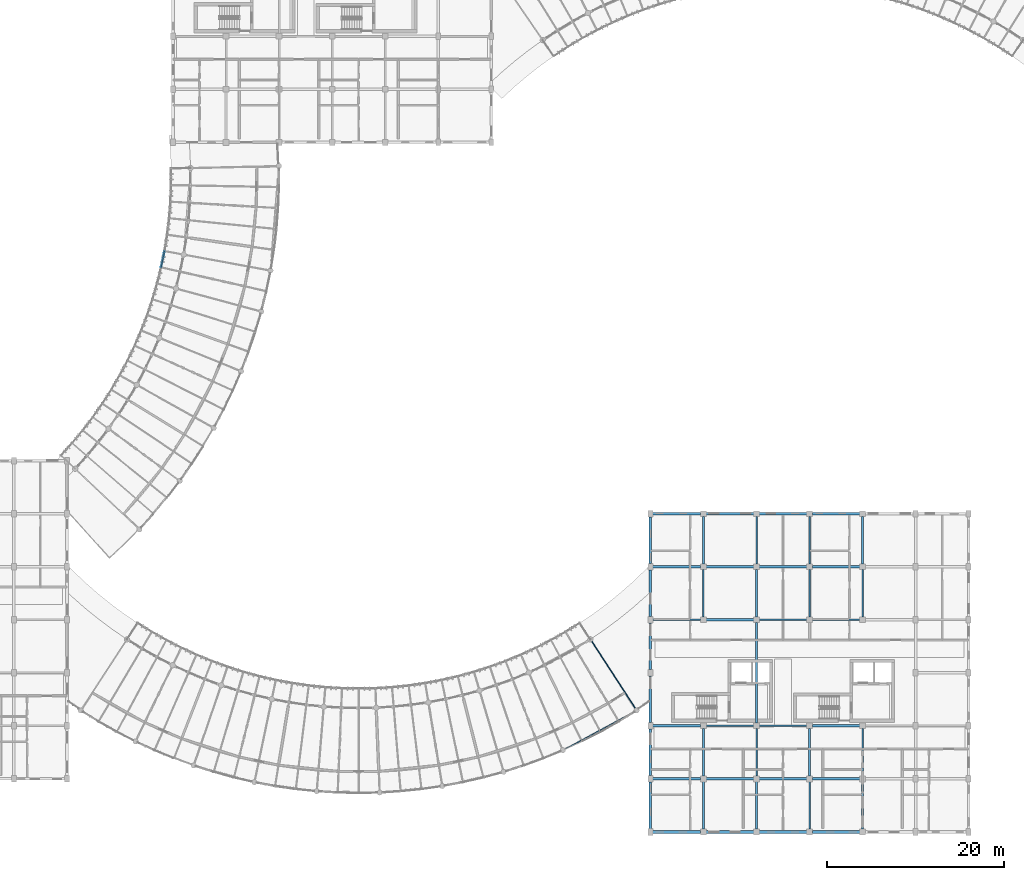
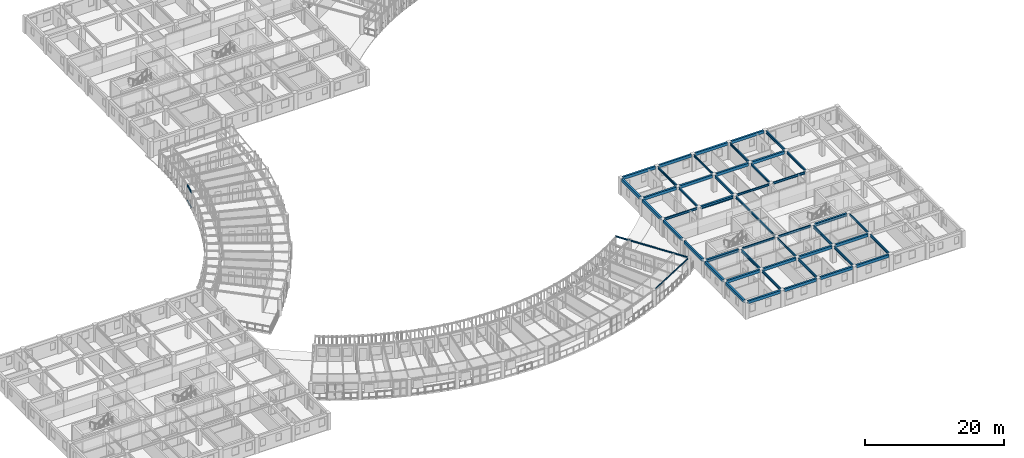
# One storey, part 22 of 100: 50 beams, 2 members.
"""IFC4 building model written with IfcOpenShell, lengths in metres."""

from ifc_helpers import new_model, si_unit, direction, frame, origin, origin_2d, place, context, subcontext, project, spatial, rectangle, hollow_rectangle, i_section, extrude, material, material_profile, profile_set, type_object, element, save


model = new_model("IFC4")

# Units and contexts
model_context = context("Model", 3, precision=1e-05, world=origin(), true_north=direction((0.0, 1.0)))
body_context = subcontext(model_context, "Body", "Model", "MODEL_VIEW")
ifc_project = project(units=[si_unit("LENGTHUNIT", "METRE"), si_unit("AREAUNIT", "SQUARE_METRE"), si_unit("VOLUMEUNIT", "CUBIC_METRE"), si_unit("PLANEANGLEUNIT", "RADIAN"), si_unit("MASSUNIT", "GRAM", prefix="KILO"), si_unit("POWERUNIT", "WATT"), si_unit("THERMODYNAMICTEMPERATUREUNIT", "KELVIN")], contexts=[model_context])

# Site, building, storey
site_placement = place(None, origin())
site = spatial("IfcSite", under=ifc_project, at=site_placement, CompositionType="ELEMENT")
building_placement = place(site_placement, origin())
building = spatial("IfcBuilding", under=site, at=building_placement, Name="Ruvembo Vaulted Housing Court", CompositionType="ELEMENT")
storey_placement = place(building_placement, frame((0.0, 0.0, 14.10009765625)))
storey = spatial("IfcBuildingStorey", under=building, at=storey_placement, Name="L04", CompositionType="ELEMENT", Elevation=14.10009765625)

# Beams
ifc_material_1 = material(Name="Steel S355J2", Category="steel")
ifc_material_profile_1 = material_profile(ifc_material_1, i_section(OverallWidth=0.300048828125, OverallDepth=0.5, WebThickness=0.014404296875, FlangeThickness=0.028076171875, FilletRadius=0.027099609375, at=origin_2d()), Name="HEB 320")
ifc_profile_set_1 = profile_set([ifc_material_profile_1], Name="Steel S355J2")
beam_type_1 = type_object("IfcBeamType", Name="BM-ST-HEB320", PredefinedType="BEAM", material=ifc_profile_set_1)
beam_1_placement = place(storey_placement, frame((102.260009765625, 12.0, 2.67578125), z_axis=(1.0, 0.0, 0.0), x_axis=(0.0, 1.0, 0.0)))
element("IfcBeam", 1, at=beam_1_placement, inside=storey, type_object=beam_type_1, Name="L04 Grid Beam X #2021", PredefinedType="BEAM", context=body_context, shape_type="SweptSolid", body=[
    extrude(i_section(OverallWidth=0.300048828125, OverallDepth=0.5, WebThickness=0.014404296875, FlangeThickness=0.028076171875, FilletRadius=0.027099609375, at=origin_2d()), origin(), (0.0, 0.0, 1.0), 5.429931640625),
])
for number, where, z_axis, x_axis, name in (
    (2, (120.31005859375, 12.0, 2.67578125), (1.0, 0.0, 0.0), (0.0, 1.0, 0.0), "L04 Grid Beam X #2024"),
    (3, (108.31005859375, 24.0, 2.67578125), (1.0, 0.0, 0.0), (0.0, 1.0, 0.0), "L04 Grid Beam X #2036"),
):
    element("IfcBeam", number, at=place(storey_placement, frame(where, z_axis=z_axis, x_axis=x_axis)), inside=storey, type_object=beam_type_1, Name=name, PredefinedType="BEAM", context=body_context, shape_type="SweptSolid", body=[
        extrude(i_section(OverallWidth=0.300048828125, OverallDepth=0.5, WebThickness=0.014404296875, FlangeThickness=0.028076171875, FilletRadius=0.027099609375, at=origin_2d()), origin(), (0.0, 0.0, 1.0), 5.3798828125),
    ])
ifc_material_profile_2 = material_profile(ifc_material_1, i_section(OverallWidth=0.091064453125, OverallDepth=0.179931640625, WebThickness=0.00537109375, FlangeThickness=0.008056640625, FilletRadius=0.009033203125, at=origin_2d()), Name="IPE 180")
ifc_profile_set_2 = profile_set([ifc_material_profile_2], Name="Steel S355J2")
beam_type_2 = type_object("IfcBeamType", Name="BM-ST-IPE180", PredefinedType="JOIST", material=ifc_profile_set_2)
beam_2_placement = place(storey_placement, frame((100.343994140625, 13.901611328125, 2.849853515625), z_axis=(-0.545955148069, 0.837814404446, 0.0), x_axis=(-0.837814404446, -0.545955148069, 0.0)))
element("IfcBeam", 4, at=beam_2_placement, inside=storey, type_object=beam_type_2, Name="Scoop SC2 L04 Radial Steel Joist 28", PredefinedType="JOIST", context=body_context, shape_type="SweptSolid", body=[
    extrude(i_section(OverallWidth=0.091064453125, OverallDepth=0.179931640625, WebThickness=0.00537109375, FlangeThickness=0.008056640625, FilletRadius=0.009033203125, at=origin_2d()), origin(), (0.0, 0.0, 1.0), 11.64990234375),
])
ifc_material_profile_3 = material_profile(ifc_material_1, i_section(OverallWidth=0.110107421875, OverallDepth=0.219970703125, WebThickness=0.005859375, FlangeThickness=0.00927734375, FilletRadius=0.011962890625, at=origin_2d()), Name="IPE 220")
ifc_profile_set_3 = profile_set([ifc_material_profile_3], Name="Steel S355J2")
beam_type_3 = type_object("IfcBeamType", Name="BM-ST-IPE220", PredefinedType="SPANDREL", material=ifc_profile_set_3)
beam_3_placement = place(storey_placement, frame((92.2607421875, 9.322509765625, 2.831787109375), z_axis=(0.879955343206, 0.475056411349, 0.0), x_axis=(-0.475056411349, 0.879955343206, 0.0)))
element("IfcBeam", 5, at=beam_3_placement, inside=storey, type_object=beam_type_3, Name="Scoop SC2 L04 Chord Girder B24", PredefinedType="SPANDREL", context=body_context, shape_type="SweptSolid", body=[
    extrude(i_section(OverallWidth=0.110107421875, OverallDepth=0.219970703125, WebThickness=0.005859375, FlangeThickness=0.00927734375, FilletRadius=0.011962890625, at=origin_2d()), origin(), (0.0, 0.0, 1.0), 9.11376953125),
])
ifc_material_profile_4 = material_profile(ifc_material_1, i_section(OverallWidth=0.169921875, OverallDepth=0.360107421875, WebThickness=0.008056640625, FlangeThickness=0.0126953125, FilletRadius=0.01806640625, at=origin_2d()), Name="IPE 360")
ifc_profile_set_4 = profile_set([ifc_material_profile_4], Name="Steel S355J2")
beam_type_4 = type_object("IfcBeamType", Name="BM-ST-IPE360", PredefinedType="BEAM", material=ifc_profile_set_4)
for number, where, z_axis, x_axis, name in (
    (6, (108.31005859375, 12.0, 2.745849609375), (1.0, 0.0, 0.0), (0.0, 1.0, 0.0), "L04 Grid Beam X #2022"),
    (7, (114.31005859375, 24.0, 2.745849609375), (1.0, 0.0, 0.0), (0.0, 1.0, 0.0), "L04 Grid Beam X #2037"),
    (8, (108.0, 24.31005859375, 2.745849609375), (0.0, 1.0, 0.0), (-1.0, 0.0, 0.0), "L04 Grid Beam Y #2223"),
    (9, (114.0, 6.31005859375, 2.745849609375), (0.0, 1.0, 0.0), (-1.0, 0.0, 0.0), "L04 Grid Beam Y #2226"),
    (10, (114.0, 30.31005859375, 2.745849609375), (0.0, 1.0, 0.0), (-1.0, 0.0, 0.0), "L04 Grid Beam Y #2229"),
    (11, (120.0, 24.31005859375, 2.745849609375), (0.0, 1.0, 0.0), (-1.0, 0.0, 0.0), "L04 Grid Beam Y #2232"),
    (12, (126.0, 6.31005859375, 2.745849609375), (0.0, 1.0, 0.0), (-1.0, 0.0, 0.0), "L04 Grid Beam Y #2235"),
):
    element("IfcBeam", number, at=place(storey_placement, frame(where, z_axis=z_axis, x_axis=x_axis)), inside=storey, type_object=beam_type_4, Name=name, PredefinedType="BEAM", context=body_context, shape_type="SweptSolid", body=[
        extrude(i_section(OverallWidth=0.169921875, OverallDepth=0.360107421875, WebThickness=0.008056640625, FlangeThickness=0.0126953125, FilletRadius=0.01806640625, at=origin_2d()), origin(), (0.0, 0.0, 1.0), 5.3798828125),
    ])
ifc_material_profile_5 = material_profile(ifc_material_1, i_section(OverallWidth=0.179931640625, OverallDepth=0.39990234375, WebThickness=0.008544921875, FlangeThickness=0.013427734375, FilletRadius=0.02099609375, at=origin_2d()), Name="IPE 400")
ifc_profile_set_5 = profile_set([ifc_material_profile_5], Name="Steel S355J2")
beam_type_5 = type_object("IfcBeamType", Name="BM-ST-IPE400", PredefinedType="BEAM", material=ifc_profile_set_5)
beam_4_placement = place(storey_placement, frame((114.31005859375, 12.0, 2.725830078125), z_axis=(1.0, 0.0, 0.0), x_axis=(0.0, 1.0, 0.0)))
element("IfcBeam", 13, at=beam_4_placement, inside=storey, type_object=beam_type_5, Name="L04 Grid Beam X #2023", PredefinedType="BEAM", context=body_context, shape_type="SweptSolid", body=[
    extrude(i_section(OverallWidth=0.179931640625, OverallDepth=0.39990234375, WebThickness=0.008544921875, FlangeThickness=0.013427734375, FilletRadius=0.02099609375, at=origin_2d()), origin(), (0.0, 0.0, 1.0), 5.3798828125),
])
beam_5_placement = place(storey_placement, frame((102.260009765625, 24.0, 2.725830078125), z_axis=(1.0, 0.0, 0.0), x_axis=(0.0, 1.0, 0.0)))
element("IfcBeam", 14, at=beam_5_placement, inside=storey, type_object=beam_type_5, Name="L04 Grid Beam X #2035", PredefinedType="BEAM", context=body_context, shape_type="SweptSolid", body=[
    extrude(i_section(OverallWidth=0.179931640625, OverallDepth=0.39990234375, WebThickness=0.008544921875, FlangeThickness=0.013427734375, FilletRadius=0.02099609375, at=origin_2d()), origin(), (0.0, 0.0, 1.0), 5.429931640625),
])
for number, where, z_axis, x_axis, name in (
    (15, (120.31005859375, 24.0, 2.725830078125), (1.0, 0.0, 0.0), (0.0, 1.0, 0.0), "L04 Grid Beam X #2038"),
    (16, (108.0, 0.31005859375, 2.725830078125), (0.0, 1.0, 0.0), (-1.0, 0.0, 0.0), "L04 Grid Beam Y #2221"),
    (17, (108.0, 30.31005859375, 2.725830078125), (0.0, 1.0, 0.0), (-1.0, 0.0, 0.0), "L04 Grid Beam Y #2224"),
):
    element("IfcBeam", number, at=place(storey_placement, frame(where, z_axis=z_axis, x_axis=x_axis)), inside=storey, type_object=beam_type_5, Name=name, PredefinedType="BEAM", context=body_context, shape_type="SweptSolid", body=[
        extrude(i_section(OverallWidth=0.179931640625, OverallDepth=0.39990234375, WebThickness=0.008544921875, FlangeThickness=0.013427734375, FilletRadius=0.02099609375, at=origin_2d()), origin(), (0.0, 0.0, 1.0), 5.3798828125),
    ])
beam_6_placement = place(storey_placement, frame((114.0, 12.31005859375, 2.725830078125), z_axis=(0.0, 1.0, 0.0), x_axis=(-1.0, 0.0, 0.0)))
element("IfcBeam", 18, at=beam_6_placement, inside=storey, type_object=beam_type_5, Name="L04 Grid Beam Y #2227", PredefinedType="BEAM", context=body_context, shape_type="SweptSolid", body=[
    extrude(i_section(OverallWidth=0.179931640625, OverallDepth=0.39990234375, WebThickness=0.008544921875, FlangeThickness=0.013427734375, FilletRadius=0.02099609375, at=origin_2d()), origin(), (0.0, 0.0, 1.0), 11.3798828125),
])
for number, where, z_axis, x_axis, name in (
    (19, (120.0, 0.31005859375, 2.725830078125), (0.0, 1.0, 0.0), (-1.0, 0.0, 0.0), "L04 Grid Beam Y #2230"),
    (20, (120.0, 30.31005859375, 2.725830078125), (0.0, 1.0, 0.0), (-1.0, 0.0, 0.0), "L04 Grid Beam Y #2233"),
    (21, (126.0, 24.31005859375, 2.725830078125), (0.0, 1.0, 0.0), (-1.0, 0.0, 0.0), "L04 Grid Beam Y #2236"),
):
    element("IfcBeam", number, at=place(storey_placement, frame(where, z_axis=z_axis, x_axis=x_axis)), inside=storey, type_object=beam_type_5, Name=name, PredefinedType="BEAM", context=body_context, shape_type="SweptSolid", body=[
        extrude(i_section(OverallWidth=0.179931640625, OverallDepth=0.39990234375, WebThickness=0.008544921875, FlangeThickness=0.013427734375, FilletRadius=0.02099609375, at=origin_2d()), origin(), (0.0, 0.0, 1.0), 5.3798828125),
    ])
ifc_material_profile_6 = material_profile(ifc_material_1, i_section(OverallWidth=0.18994140625, OverallDepth=0.449951171875, WebThickness=0.009521484375, FlangeThickness=0.0146484375, FilletRadius=0.02099609375, at=origin_2d()), Name="IPE 450")
ifc_profile_set_6 = profile_set([ifc_material_profile_6], Name="Steel S355J2")
beam_type_6 = type_object("IfcBeamType", Name="BM-ST-IPE450", PredefinedType="BEAM", material=ifc_profile_set_6)
for number, where, z_axis, x_axis, name in (
    (22, (108.0, 6.31005859375, 2.700927734375), (0.0, 1.0, 0.0), (-1.0, 0.0, 0.0), "L04 Grid Beam Y #2222"),
    (23, (114.0, 0.31005859375, 2.700927734375), (0.0, 1.0, 0.0), (-1.0, 0.0, 0.0), "L04 Grid Beam Y #2225"),
    (24, (114.0, 24.31005859375, 2.700927734375), (0.0, 1.0, 0.0), (-1.0, 0.0, 0.0), "L04 Grid Beam Y #2228"),
    (25, (120.0, 6.31005859375, 2.700927734375), (0.0, 1.0, 0.0), (-1.0, 0.0, 0.0), "L04 Grid Beam Y #2231"),
    (26, (126.0, 0.31005859375, 2.700927734375), (0.0, 1.0, 0.0), (-1.0, 0.0, 0.0), "L04 Grid Beam Y #2234"),
    (27, (126.0, 30.31005859375, 2.700927734375), (0.0, 1.0, 0.0), (-1.0, 0.0, 0.0), "L04 Grid Beam Y #2237"),
):
    element("IfcBeam", number, at=place(storey_placement, frame(where, z_axis=z_axis, x_axis=x_axis)), inside=storey, type_object=beam_type_6, Name=name, PredefinedType="BEAM", context=body_context, shape_type="SweptSolid", body=[
        extrude(i_section(OverallWidth=0.18994140625, OverallDepth=0.449951171875, WebThickness=0.009521484375, FlangeThickness=0.0146484375, FilletRadius=0.02099609375, at=origin_2d()), origin(), (0.0, 0.0, 1.0), 5.3798828125),
    ])
ifc_material_profile_7 = material_profile(ifc_material_1, hollow_rectangle(XDim=0.14990234375, YDim=0.25, WallThickness=0.010009765625, InnerFilletRadius=0.010009765625, OuterFilletRadius=0.02001953125, at=origin_2d()), Name="RHS 250x150x10")
ifc_profile_set_7 = profile_set([ifc_material_profile_7], Name="Steel S355J2")
beam_type_7 = type_object("IfcBeamType", Name="BM-ST-RHS250", PredefinedType="SPANDREL", material=ifc_profile_set_7)
beam_7_placement = place(storey_placement, frame((46.664794921875, 63.86669921875, 2.81494140625), z_axis=(0.20126745828, 0.979536324103, 0.0), x_axis=(-0.979536324103, 0.20126745828, 0.0)))
element("IfcBeam", 28, at=beam_7_placement, inside=storey, type_object=beam_type_7, Name="Scoop SC1 L04 Balcony Edge Spandrel 13", PredefinedType="SPANDREL", context=body_context, shape_type="SweptSolid", body=[
    extrude(hollow_rectangle(XDim=0.14990234375, YDim=0.25, WallThickness=0.010009765625, InnerFilletRadius=0.010009765625, OuterFilletRadius=0.02001953125, at=origin_2d()), origin(), (0.0, 0.0, 1.0), 1.87646484375),
])

# Members
ifc_material_profile_8 = material_profile(ifc_material_1, hollow_rectangle(XDim=0.06005859375, YDim=0.1201171875, WallThickness=0.0048828125, InnerFilletRadius=0.0048828125, OuterFilletRadius=0.010009765625, at=origin_2d()), Name="RHS 120x60x5")
ifc_profile_set_8 = profile_set([ifc_material_profile_8], Name="Steel S355J2")
member_type_1 = type_object("IfcMemberType", Name="MEM-CAR-RHS120", PredefinedType="CHORD", material=ifc_profile_set_8)
member_1_placement = place(storey_placement, frame((46.664794921875, 63.86669921875, 2.6328125), z_axis=(0.20126745828, 0.979536324103, 0.0), x_axis=(-0.979536324103, 0.20126745828, 0.0)))
element("IfcMember", 29, at=member_1_placement, inside=storey, type_object=member_type_1, Name="Scoop SC1 L04 Upper Louvre Carrier Rail 13", PredefinedType="CHORD", context=body_context, shape_type="SweptSolid", body=[
    extrude(hollow_rectangle(XDim=0.06005859375, YDim=0.1201171875, WallThickness=0.0048828125, InnerFilletRadius=0.0048828125, OuterFilletRadius=0.010009765625, at=origin_2d()), origin(), (0.0, 0.0, 1.0), 1.87646484375),
])
ifc_material_profile_9 = material_profile(ifc_material_1, hollow_rectangle(XDim=0.080078125, YDim=0.14990234375, WallThickness=0.00634765625, InnerFilletRadius=0.00634765625, OuterFilletRadius=0.0126953125, at=origin_2d()), Name="RHS 150x80x6.3")
ifc_profile_set_9 = profile_set([ifc_material_profile_9], Name="Steel S355J2")
member_type_2 = type_object("IfcMemberType", Name="MEM-CAR-RHS150", PredefinedType="CHORD", material=ifc_profile_set_9)
member_2_placement = place(storey_placement, frame((46.664794921875, 63.86669921875, 0.094970703125), z_axis=(0.20126745828, 0.979536324103, 0.0), x_axis=(-0.979536324103, 0.20126745828, 0.0)))
element("IfcMember", 30, at=member_2_placement, inside=storey, type_object=member_type_2, Name="Scoop SC1 L04 Lower Louvre Carrier Rail 13", PredefinedType="CHORD", context=body_context, shape_type="SweptSolid", body=[
    extrude(hollow_rectangle(XDim=0.080078125, YDim=0.14990234375, WallThickness=0.00634765625, InnerFilletRadius=0.00634765625, OuterFilletRadius=0.0126953125, at=origin_2d()), origin(), (0.0, 0.0, 1.0), 1.87646484375),
])

# Beams
ifc_material_2 = material(Name="Concrete C35/45", Category="concrete")
ifc_material_profile_10 = material_profile(ifc_material_2, rectangle(XDim=0.300048828125, YDim=0.5, at=origin_2d()), Name="RC 300x500")
ifc_profile_set_10 = profile_set([ifc_material_profile_10], Name="Concrete C35/45")
beam_type_8 = type_object("IfcBeamType", Name="SP-RC-300x500", PredefinedType="SPANDREL", material=ifc_profile_set_10)
beam_8_placement = place(storey_placement, frame((102.260009765625, 0.0, 2.699951171875), z_axis=(1.0, 0.0, 0.0), x_axis=(0.0, 1.0, 0.0)))
element("IfcBeam", 31, at=beam_8_placement, inside=storey, type_object=beam_type_8, Name="L04 Grid Beam X #1997", PredefinedType="SPANDREL", context=body_context, shape_type="SweptSolid", body=[
    extrude(rectangle(XDim=0.300048828125, YDim=0.5, at=origin_2d()), origin(), (0.0, 0.0, 1.0), 5.429931640625),
])
for number, where, z_axis, x_axis, name in (
    (32, (108.31005859375, 0.0, 2.699951171875), (1.0, 0.0, 0.0), (0.0, 1.0, 0.0), "L04 Grid Beam X #1998"),
    (33, (114.31005859375, 0.0, 2.699951171875), (1.0, 0.0, 0.0), (0.0, 1.0, 0.0), "L04 Grid Beam X #1999"),
    (34, (120.31005859375, 0.0, 2.699951171875), (1.0, 0.0, 0.0), (0.0, 1.0, 0.0), "L04 Grid Beam X #2000"),
):
    element("IfcBeam", number, at=place(storey_placement, frame(where, z_axis=z_axis, x_axis=x_axis)), inside=storey, type_object=beam_type_8, Name=name, PredefinedType="SPANDREL", context=body_context, shape_type="SweptSolid", body=[
        extrude(rectangle(XDim=0.300048828125, YDim=0.5, at=origin_2d()), origin(), (0.0, 0.0, 1.0), 5.3798828125),
    ])
beam_9_placement = place(storey_placement, frame((102.260009765625, 6.0, 2.699951171875), z_axis=(1.0, 0.0, 0.0), x_axis=(0.0, 1.0, 0.0)))
element("IfcBeam", 35, at=beam_9_placement, inside=storey, type_object=beam_type_8, Name="L04 Grid Beam X #2009", PredefinedType="SPANDREL", context=body_context, shape_type="SweptSolid", body=[
    extrude(rectangle(XDim=0.300048828125, YDim=0.5, at=origin_2d()), origin(), (0.0, 0.0, 1.0), 5.429931640625),
])
for number, where, z_axis, x_axis, name in (
    (36, (108.31005859375, 6.0, 2.699951171875), (1.0, 0.0, 0.0), (0.0, 1.0, 0.0), "L04 Grid Beam X #2010"),
    (37, (114.31005859375, 6.0, 2.699951171875), (1.0, 0.0, 0.0), (0.0, 1.0, 0.0), "L04 Grid Beam X #2011"),
    (38, (120.31005859375, 6.0, 2.699951171875), (1.0, 0.0, 0.0), (0.0, 1.0, 0.0), "L04 Grid Beam X #2012"),
):
    element("IfcBeam", number, at=place(storey_placement, frame(where, z_axis=z_axis, x_axis=x_axis)), inside=storey, type_object=beam_type_8, Name=name, PredefinedType="SPANDREL", context=body_context, shape_type="SweptSolid", body=[
        extrude(rectangle(XDim=0.300048828125, YDim=0.5, at=origin_2d()), origin(), (0.0, 0.0, 1.0), 5.3798828125),
    ])
beam_10_placement = place(storey_placement, frame((102.260009765625, 30.0, 2.699951171875), z_axis=(1.0, 0.0, 0.0), x_axis=(0.0, 1.0, 0.0)))
element("IfcBeam", 39, at=beam_10_placement, inside=storey, type_object=beam_type_8, Name="L04 Grid Beam X #2047", PredefinedType="SPANDREL", context=body_context, shape_type="SweptSolid", body=[
    extrude(rectangle(XDim=0.300048828125, YDim=0.5, at=origin_2d()), origin(), (0.0, 0.0, 1.0), 5.429931640625),
])
for number, where, z_axis, x_axis, name in (
    (40, (108.31005859375, 30.0, 2.699951171875), (1.0, 0.0, 0.0), (0.0, 1.0, 0.0), "L04 Grid Beam X #2048"),
    (41, (114.31005859375, 30.0, 2.699951171875), (1.0, 0.0, 0.0), (0.0, 1.0, 0.0), "L04 Grid Beam X #2049"),
    (42, (120.31005859375, 30.0, 2.699951171875), (1.0, 0.0, 0.0), (0.0, 1.0, 0.0), "L04 Grid Beam X #2050"),
):
    element("IfcBeam", number, at=place(storey_placement, frame(where, z_axis=z_axis, x_axis=x_axis)), inside=storey, type_object=beam_type_8, Name=name, PredefinedType="SPANDREL", context=body_context, shape_type="SweptSolid", body=[
        extrude(rectangle(XDim=0.300048828125, YDim=0.5, at=origin_2d()), origin(), (0.0, 0.0, 1.0), 5.3798828125),
    ])
beam_11_placement = place(storey_placement, frame((102.260009765625, 36.0, 2.699951171875), z_axis=(1.0, 0.0, 0.0), x_axis=(0.0, 1.0, 0.0)))
element("IfcBeam", 43, at=beam_11_placement, inside=storey, type_object=beam_type_8, Name="L04 Grid Beam X #2059", PredefinedType="SPANDREL", context=body_context, shape_type="SweptSolid", body=[
    extrude(rectangle(XDim=0.300048828125, YDim=0.5, at=origin_2d()), origin(), (0.0, 0.0, 1.0), 5.429931640625),
])
for number, where, z_axis, x_axis, name in (
    (44, (108.31005859375, 36.0, 2.699951171875), (1.0, 0.0, 0.0), (0.0, 1.0, 0.0), "L04 Grid Beam X #2060"),
    (45, (114.31005859375, 36.0, 2.699951171875), (1.0, 0.0, 0.0), (0.0, 1.0, 0.0), "L04 Grid Beam X #2061"),
    (46, (120.31005859375, 36.0, 2.699951171875), (1.0, 0.0, 0.0), (0.0, 1.0, 0.0), "L04 Grid Beam X #2062"),
):
    element("IfcBeam", number, at=place(storey_placement, frame(where, z_axis=z_axis, x_axis=x_axis)), inside=storey, type_object=beam_type_8, Name=name, PredefinedType="SPANDREL", context=body_context, shape_type="SweptSolid", body=[
        extrude(rectangle(XDim=0.300048828125, YDim=0.5, at=origin_2d()), origin(), (0.0, 0.0, 1.0), 5.3798828125),
    ])
for number, where, z_axis, x_axis, name in (
    (47, (102.0, 0.360107421875, 2.699951171875), (0.0, 1.0, 0.0), (-1.0, 0.0, 0.0), "L04 Grid Beam Y #2215"),
    (48, (102.0, 6.360107421875, 2.699951171875), (0.0, 1.0, 0.0), (-1.0, 0.0, 0.0), "L04 Grid Beam Y #2216"),
    (49, (102.0, 12.360107421875, 2.699951171875), (0.0, 1.0, 0.0), (-1.0, 0.0, 0.0), "L04 Grid Beam Y #2217"),
    (50, (102.0, 18.360107421875, 2.699951171875), (0.0, 1.0, 0.0), (-1.0, 0.0, 0.0), "L04 Grid Beam Y #2218"),
    (51, (102.0, 24.360107421875, 2.699951171875), (0.0, 1.0, 0.0), (-1.0, 0.0, 0.0), "L04 Grid Beam Y #2219"),
    (52, (102.0, 30.360107421875, 2.699951171875), (0.0, 1.0, 0.0), (-1.0, 0.0, 0.0), "L04 Grid Beam Y #2220"),
):
    element("IfcBeam", number, at=place(storey_placement, frame(where, z_axis=z_axis, x_axis=x_axis)), inside=storey, type_object=beam_type_8, Name=name, PredefinedType="SPANDREL", context=body_context, shape_type="SweptSolid", body=[
        extrude(rectangle(XDim=0.300048828125, YDim=0.5, at=origin_2d()), origin(), (0.0, 0.0, 1.0), 5.27978515625),
    ])

save(model, "model.ifc")
